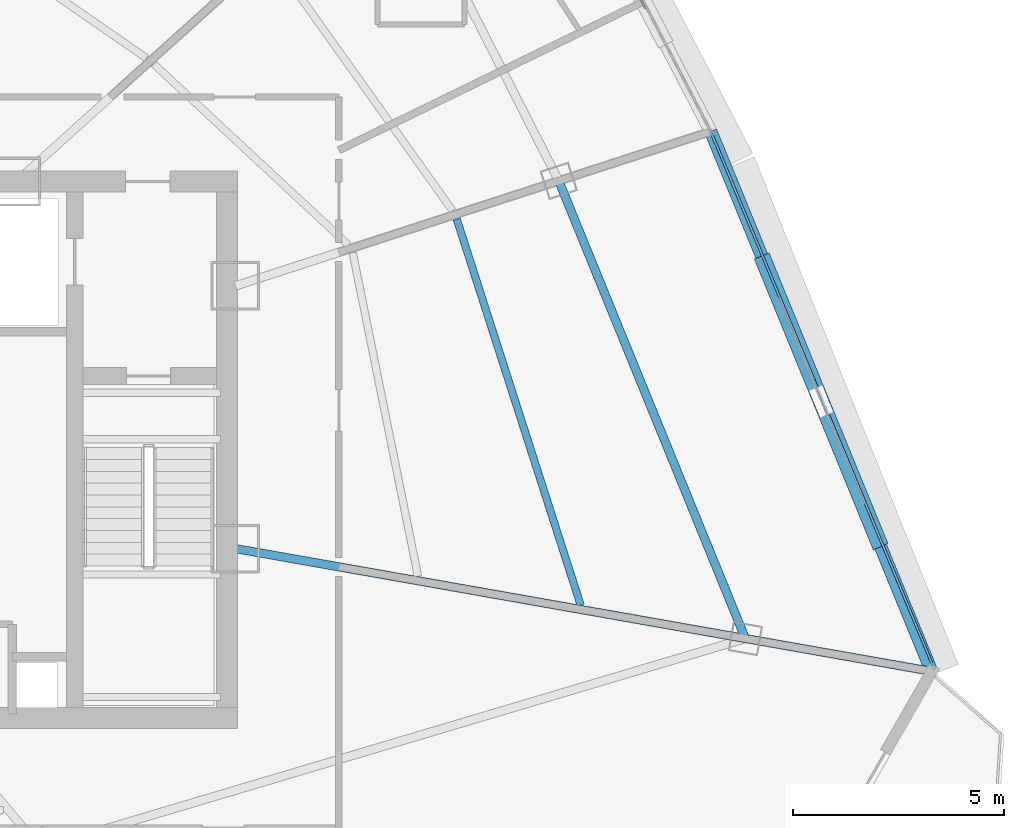
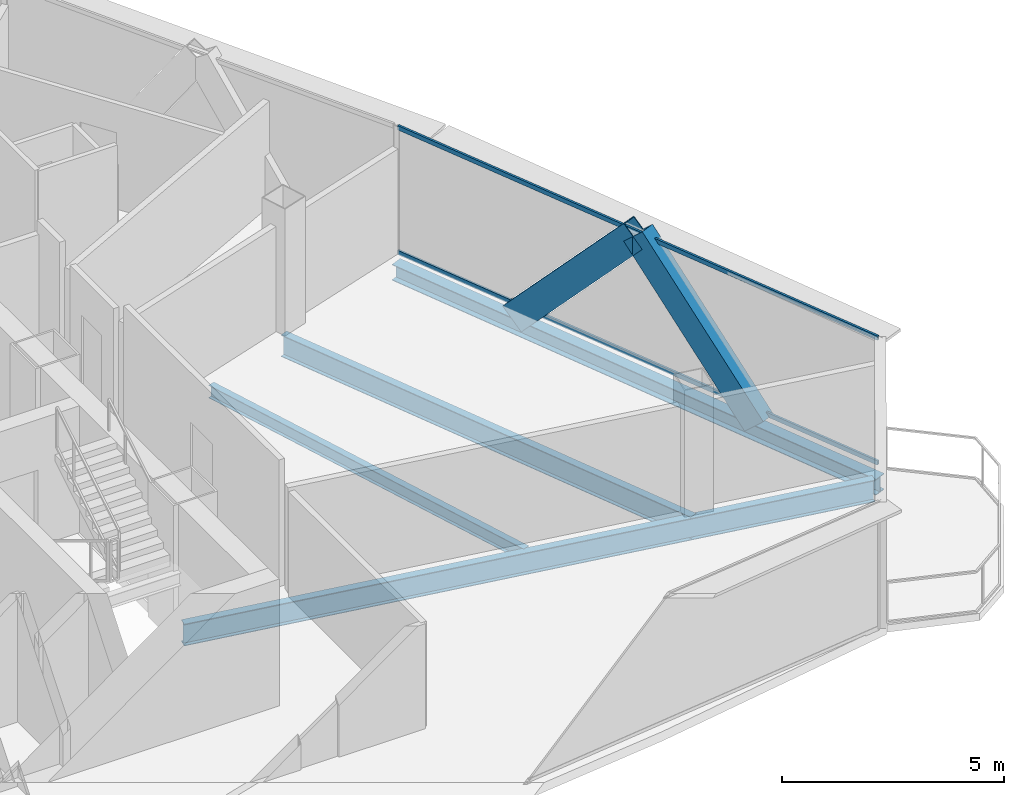
# One storey, part 15 of 33: 4 beams, 4 members, 1 element without a shape of its own.
"""IFC4 building model written with IfcOpenShell, lengths in metres."""

from ifc_helpers import new_model, si_unit, direction, frame, origin, origin_2d, place, context, subcontext, project, spatial, hollow_rectangle, i_section, extrude, source, transform, mapped, material, layer, layer_set, material_profile, profile_set, type_object, element, aggregate, save


model = new_model("IFC4")

# Units and contexts
model_context = context("Model", 3, precision=1e-05, world=origin(), true_north=direction((0.0, 1.0)))
body_context = subcontext(model_context, "Body", "Model", "MODEL_VIEW")
ifc_project = project(units=[si_unit("LENGTHUNIT", "METRE"), si_unit("AREAUNIT", "SQUARE_METRE"), si_unit("VOLUMEUNIT", "CUBIC_METRE"), si_unit("PLANEANGLEUNIT", "RADIAN"), si_unit("MASSUNIT", "GRAM", prefix="KILO"), si_unit("THERMODYNAMICTEMPERATUREUNIT", "KELVIN"), si_unit("POWERUNIT", "WATT")], contexts=[model_context])

# Site, building, storey
site_placement = place(None, origin())
site = spatial("IfcSite", under=ifc_project, at=site_placement, CompositionType="ELEMENT")
building_placement = place(site_placement, origin())
building = spatial("IfcBuilding", under=site, at=building_placement, Name="Yunzhuo Pagoda Commons", CompositionType="ELEMENT")
storey_placement = place(building_placement, frame((0.0, 0.0, 325.510009765625)))
storey = spatial("IfcBuildingStorey", under=building, at=storey_placement, Name="L81", CompositionType="ELEMENT", Elevation=325.510009765625)

# Beams
ifc_material_1 = material(Name="Structural steel Q355B", Category="steel")
ifc_material_profile_1 = material_profile(ifc_material_1, i_section(OverallWidth=0.300048828125, OverallDepth=0.43994140625, WebThickness=0.010986328125, FlangeThickness=0.01806640625, at=origin_2d()), Name="Structural steel Q355B")
ifc_profile_set_1 = profile_set([ifc_material_profile_1], Name="Structural steel Q355B")
beam_type_1 = type_object("IfcBeamType", Name="B-SP2 Beam HM 440x300x11x18", PredefinedType="BEAM", material=ifc_profile_set_1)
shared_shape_1 = source(origin(), body_context, "Body", "SweptSolid", [
    extrude(i_section(OverallWidth=0.300048828125, OverallDepth=0.43994140625, WebThickness=0.010986328125, FlangeThickness=0.01806640625, at=origin_2d()), origin(), (0.0, 0.0, 1.0), 13.80419921875),
])
beam_1_placement = place(storey_placement, frame((76.87744140625, 28.608154296875, -0.47998046875), z_axis=(-0.378566733914, 0.925573999189, 0.0), x_axis=(-0.925573999189, -0.378566733914, 0.0)))
element("IfcBeam", 1, at=beam_1_placement, inside=storey, type_object=beam_type_1, Name="L81 facade edge spandrel beam F2.1", PredefinedType="BEAM", context=body_context, shape_type="MappedRepresentation", body=[
    mapped(shared_shape_1, transform((0.0, 0.0, 0.0), scale=1.0)),
])
ifc_material_profile_2 = material_profile(ifc_material_1, i_section(OverallWidth=0.199951171875, OverallDepth=0.60009765625, WebThickness=0.010986328125, FlangeThickness=0.01708984375, at=origin_2d()), Name="Structural steel Q355B")
ifc_profile_set_2 = profile_set([ifc_material_profile_2], Name="Structural steel Q355B")
beam_type_2 = type_object("IfcBeamType", Name="B-RG3 Beam HN 600x200x11x17", PredefinedType="BEAM", material=ifc_profile_set_2)
shared_shape_2 = source(origin(), body_context, "Body", "SweptSolid", [
    extrude(i_section(OverallWidth=0.199951171875, OverallDepth=0.60009765625, WebThickness=0.010986328125, FlangeThickness=0.01708984375, at=origin_2d()), origin(), (0.0, 0.0, 1.0), 11.696533203125),
])
beam_2_placement = place(storey_placement, frame((72.47021484375, 29.38525390625, -0.56005859375), z_axis=(-0.377611800863, 0.925963999219, 0.0), x_axis=(-0.925963999219, -0.377611800863, 0.0)))
element("IfcBeam", 2, at=beam_2_placement, inside=storey, type_object=beam_type_2, Name="L81 column-ring beam 5", PredefinedType="BEAM", context=body_context, shape_type="MappedRepresentation", body=[
    mapped(shared_shape_2, transform((0.0, 0.0, 0.0), scale=1.0)),
])
shared_shape_3 = source(origin(), body_context, "Body", "SweptSolid", [
    extrude(i_section(OverallWidth=0.199951171875, OverallDepth=0.60009765625, WebThickness=0.010986328125, FlangeThickness=0.01708984375, at=origin_2d()), origin(), (0.0, 0.0, 1.0), 16.576416015625),
])
beam_3_placement = place(storey_placement, frame((76.724609375, 28.635009765625, -0.56005859375), z_axis=(-0.984808457955, 0.173644179692, 0.0), x_axis=(-0.173644179692, -0.984808457955, 0.0)))
element("IfcBeam", 3, at=beam_3_placement, inside=storey, type_object=beam_type_2, Name="L81 radial floor girder F2C1", PredefinedType="BEAM", context=body_context, shape_type="MappedRepresentation", body=[
    mapped(shared_shape_3, transform((0.0, 0.0, 0.0), scale=1.0)),
])
ifc_material_profile_3 = material_profile(ifc_material_1, i_section(OverallWidth=0.175048828125, OverallDepth=0.35009765625, WebThickness=0.007080078125, FlangeThickness=0.010986328125, at=origin_2d()), Name="Structural steel Q355B")
ifc_profile_set_3 = profile_set([ifc_material_profile_3], Name="Structural steel Q355B")
beam_type_3 = type_object("IfcBeamType", Name="B-JS2 Joist HN 350x175x7x11", PredefinedType="JOIST", material=ifc_profile_set_3)
shared_shape_4 = source(origin(), body_context, "Body", "SweptSolid", [
    extrude(i_section(OverallWidth=0.175048828125, OverallDepth=0.35009765625, WebThickness=0.007080078125, FlangeThickness=0.010986328125, at=origin_2d()), origin(), (0.0, 0.0, 1.0), 9.593994140625),
])
beam_4_placement = place(storey_placement, frame((68.572509765625, 30.17578125, -0.43505859375), z_axis=(-0.305719218499, 0.952121714614, 0.0), x_axis=(-0.952121714614, -0.305719218499, 0.0)))
element("IfcBeam", 4, at=beam_4_placement, inside=storey, type_object=beam_type_3, Name="L81 composite ring joist 2.5", PredefinedType="JOIST", context=body_context, shape_type="MappedRepresentation", body=[
    mapped(shared_shape_4, transform((0.0, 0.0, 0.0), scale=1.0)),
])

# Members
ifc_material_profile_4 = material_profile(ifc_material_1, hollow_rectangle(XDim=0.3798828125, YDim=0.719970703125, WallThickness=0.02001953125, at=origin_2d()), Name="Structural steel Q355B")
ifc_profile_set_4 = profile_set([ifc_material_profile_4], Name="Structural steel Q355B")
member_type_1 = type_object("IfcMemberType", Name="M-DL3 Brace BOX 720x380x20", PredefinedType="BRACE", material=ifc_profile_set_4)
shared_shape_5 = source(origin(), body_context, "Body", "SweptSolid", [
    extrude(hollow_rectangle(XDim=0.3798828125, YDim=0.719970703125, WallThickness=0.02001953125, at=origin_2d()), origin(), (0.0, 0.0, 1.0), 5.096435546875),
])
member_1_placement = place(storey_placement, frame((75.571044921875, 31.80224609375, -0.260009765625), z_axis=(-0.256383546831, 0.62677920903, 0.735809282384), x_axis=(-0.925560477573, -0.378599791805, 0.0)))
element("IfcMember", 5, at=member_1_placement, inside=storey, type_object=member_type_1, Name="L81 facade diamond brace F2.1L", PredefinedType="BRACE", context=body_context, shape_type="MappedRepresentation", body=[
    mapped(shared_shape_5, transform((0.0, 0.0, 0.0), scale=1.0)),
])
shared_shape_6 = source(origin(), body_context, "Body", "SweptSolid", [
    extrude(hollow_rectangle(XDim=0.3798828125, YDim=0.719970703125, WallThickness=0.02001953125, at=origin_2d()), origin(), (0.0, 0.0, 1.0), 5.09619140625),
])
member_2_placement = place(storey_placement, frame((72.9580078125, 38.190673828125, -0.260009765625), z_axis=(0.256346487536, -0.626757820302, 0.735840412737), x_axis=(0.925575126988, 0.378563976497, 0.0)))
element("IfcMember", 6, at=member_2_placement, inside=storey, type_object=member_type_1, Name="L81 facade diamond brace F2.1R", PredefinedType="BRACE", context=body_context, shape_type="MappedRepresentation", body=[
    mapped(shared_shape_6, transform((0.0, 0.0, 0.0), scale=1.0)),
])

# Curtain wall, members
ifc_material_2 = material(Name="Anodized aluminium 6063-T6", Category="aluminium")
ifc_layer = layer(ifc_material_2, 0.139892578125)
ifc_layer_set = layer_set([ifc_layer], Name="Anodized aluminium 6063-T6")
curtain_wall_type = type_object("IfcCurtainWallType", Name="CW-HI High-Zone Ribbon Curtain Wall", PredefinedType="NOTDEFINED", material=ifc_layer_set)
curtain_wall_placement = place(storey_placement, origin())
curtain_wall = element("IfcCurtainWall", 7, at=curtain_wall_placement, inside=storey, type_object=curtain_wall_type, Name="L81 curtain wall CW-L81-F2B2", PredefinedType="NOTDEFINED")
ifc_material_profile_5 = material_profile(ifc_material_2, hollow_rectangle(XDim=0.054931640625, YDim=0.1201171875, WallThickness=0.00341796875, at=origin_2d()), Name="Anodized aluminium 6063-T6")
ifc_profile_set_5 = profile_set([ifc_material_profile_5], Name="Anodized aluminium 6063-T6")
member_type_2 = type_object("IfcMemberType", Name="CW-HI-T Transom RHS 120x55x3.5", PredefinedType="USERDEFINED", material=ifc_profile_set_5)
shared_shape_7 = source(origin(), body_context, "Body", "SweptSolid", [
    extrude(hollow_rectangle(XDim=0.054931640625, YDim=0.1201171875, WallThickness=0.00341796875, at=origin_2d()), origin(), (0.0, 0.0, 1.0), 13.62646484375),
])
member_3_placement = place(storey_placement, frame((76.90478515625, 28.746826171875, 0.027587890625), z_axis=(-0.383812484242, 0.92341105524, 0.0), x_axis=(-0.92341105524, -0.383812484242, 0.0)))
member_3 = element("IfcMember", 8, at=member_3_placement, type_object=member_type_2, Name="CW transom 1.1", ObjectType="TRANSOM", PredefinedType="USERDEFINED", context=body_context, shape_type="MappedRepresentation", body=[
    mapped(shared_shape_7, transform((0.0, 0.0, 0.0), scale=1.0)),
])
member_4_placement = place(storey_placement, frame((76.90478515625, 28.746826171875, 3.46240234375), z_axis=(-0.383812484242, 0.92341105524, 0.0), x_axis=(-0.92341105524, -0.383812484242, 0.0)))
member_4 = element("IfcMember", 9, at=member_4_placement, type_object=member_type_2, Name="CW transom 1.2", ObjectType="TRANSOM", PredefinedType="USERDEFINED", context=body_context, shape_type="MappedRepresentation", body=[
    mapped(shared_shape_7, transform((0.0, 0.0, 0.0), scale=1.0)),
])
aggregate(curtain_wall, [member_3, member_4])

save(model, "model.ifc")
